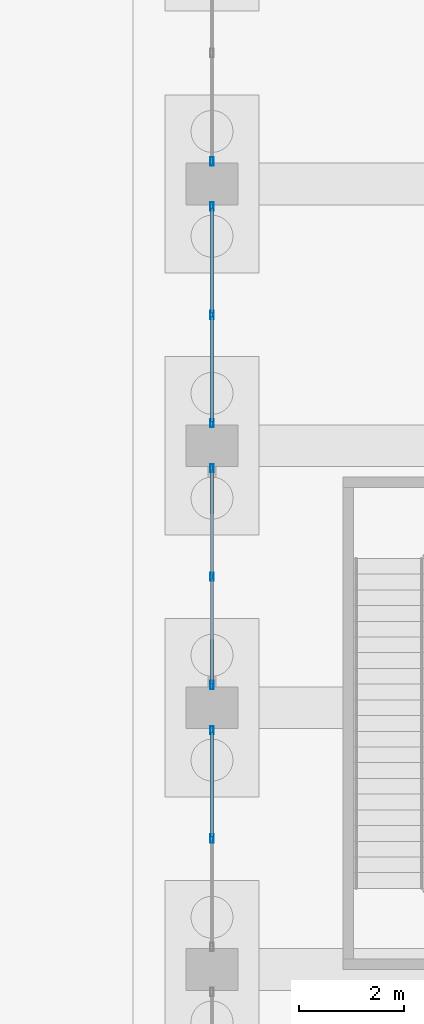
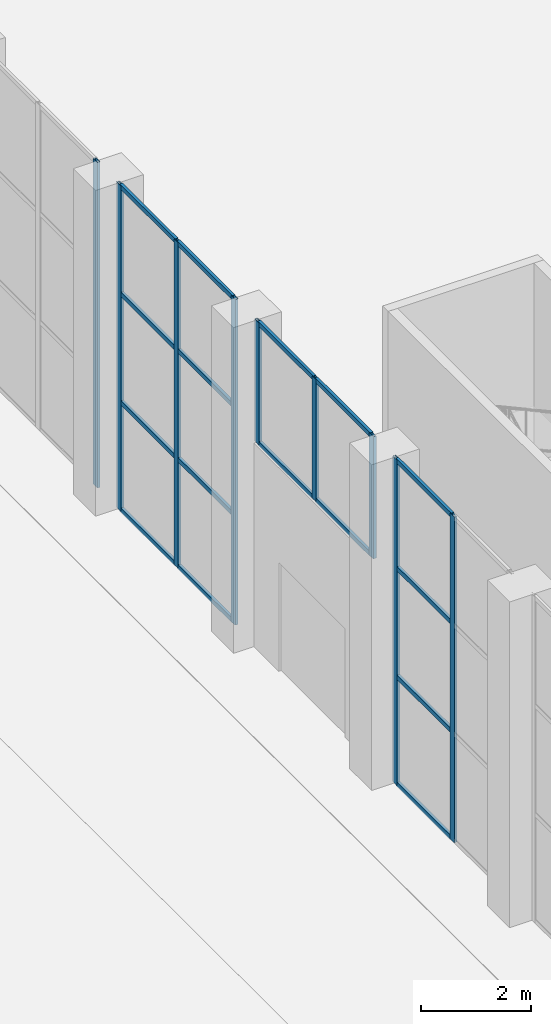
# One storey, part 114 of 239: 25 members, 4 elements without a shape of their own.
"""IFC4 building model written with IfcOpenShell, lengths in metres."""

from ifc_helpers import new_model, si_unit, direction, frame, origin, origin_2d, place, context, subcontext, project, spatial, hollow_rectangle, extrude, material, material_profile, profile_set, type_object, element, aggregate, save


model = new_model("IFC4")

# Units and contexts
model_context = context("Model", 3, precision=1e-05, world=origin(), true_north=direction((0.0, 1.0)))
body_context = subcontext(model_context, "Body", "Model", "MODEL_VIEW")
ifc_project = project(units=[si_unit("LENGTHUNIT", "METRE"), si_unit("AREAUNIT", "SQUARE_METRE"), si_unit("VOLUMEUNIT", "CUBIC_METRE"), si_unit("PLANEANGLEUNIT", "RADIAN"), si_unit("MASSUNIT", "GRAM", prefix="KILO")], contexts=[model_context])

# Site, building, storey
site_placement = place(None, origin())
site = spatial("IfcSite", under=ifc_project, at=site_placement, CompositionType="ELEMENT")
building_placement = place(site_placement, origin())
building = spatial("IfcBuilding", under=site, at=building_placement, Name="Okhra Congress Centre", CompositionType="ELEMENT")
storey_placement = place(building_placement, origin())
storey = spatial("IfcBuildingStorey", under=building, at=storey_placement, Name="L00", CompositionType="ELEMENT", Elevation=0.0)

# Curtain wall, members
ifc_material_1 = material(Name="Aluminium curtain wall, triple glazing", Category="aluminium")
curtain_wall_type = type_object("IfcCurtainWallType", Name="Curtain wall 2100 module", PredefinedType="NOTDEFINED", material=ifc_material_1)
curtain_wall_1_placement = place(storey_placement, origin())
curtain_wall_1 = element("IfcCurtainWall", 1, at=curtain_wall_1_placement, inside=storey, type_object=curtain_wall_type, Name="West bay 5 glazing", PredefinedType="NOTDEFINED")
ifc_material_2 = material(Name="Aluminium alloy EN AW-6063 T66", Category="aluminium")
ifc_material_profile_1 = material_profile(ifc_material_2, hollow_rectangle(XDim=0.06005859375, YDim=0.159912109375, WallThickness=0.00390625, at=origin_2d()), Name="RHS 60x160x4")
ifc_profile_set_1 = profile_set([ifc_material_profile_1], Name="Aluminium alloy EN AW-6063 T66")
member_type_1 = type_object("IfcMemberType", Name="Curtain wall mullion 60x160", PredefinedType="MULLION", material=ifc_profile_set_1)
member_1_placement = place(storey_placement, frame((155.5, 98.5, 0.0), z_axis=(0.0, 0.0, 1.0), x_axis=(-1.0, 0.0, 0.0)))
member_1 = element("IfcMember", 2, at=member_1_placement, type_object=member_type_1, Name="CW4 mullion 2", PredefinedType="MULLION", context=body_context, shape_type="SweptSolid", body=[
    extrude(hollow_rectangle(XDim=0.06005859375, YDim=0.159912109375, WallThickness=0.00390625, at=origin_2d()), origin(), (0.0, 0.0, 1.0), 7.199951171875),
])
member_2_placement = place(storey_placement, frame((155.5, 100.570068359375, 0.0), z_axis=(0.0, 0.0, 1.0), x_axis=(-1.0, 0.0, 0.0)))
member_2 = element("IfcMember", 3, at=member_2_placement, type_object=member_type_1, Name="CW4 mullion 3", PredefinedType="MULLION", context=body_context, shape_type="SweptSolid", body=[
    extrude(hollow_rectangle(XDim=0.06005859375, YDim=0.159912109375, WallThickness=0.00390625, at=origin_2d()), origin(), (0.0, 0.0, 1.0), 7.199951171875),
])

curtain_wall_2_placement = place(storey_placement, origin())
curtain_wall_2 = element("IfcCurtainWall", 4, at=curtain_wall_2_placement, inside=storey, type_object=curtain_wall_type, Name="West bay 6 glazing above the doors", PredefinedType="NOTDEFINED")
member_3_placement = place(storey_placement, frame((155.5, 101.429931640625, 4.5), z_axis=(0.0, 0.0, 1.0), x_axis=(-1.0, 0.0, 0.0)))
member_3 = element("IfcMember", 5, at=member_3_placement, type_object=member_type_1, Name="CW4 mullion 1", PredefinedType="MULLION", context=body_context, shape_type="SweptSolid", body=[
    extrude(hollow_rectangle(XDim=0.06005859375, YDim=0.159912109375, WallThickness=0.00390625, at=origin_2d()), origin(), (0.0, 0.0, 1.0), 2.699951171875),
])
member_4_placement = place(storey_placement, frame((155.5, 103.5, 4.5), z_axis=(0.0, 0.0, 1.0), x_axis=(-1.0, 0.0, 0.0)))
member_4 = element("IfcMember", 6, at=member_4_placement, type_object=member_type_1, Name="CW4 mullion 2", PredefinedType="MULLION", context=body_context, shape_type="SweptSolid", body=[
    extrude(hollow_rectangle(XDim=0.06005859375, YDim=0.159912109375, WallThickness=0.00390625, at=origin_2d()), origin(), (0.0, 0.0, 1.0), 2.699951171875),
])
member_5_placement = place(storey_placement, frame((155.5, 105.570068359375, 4.5), z_axis=(0.0, 0.0, 1.0), x_axis=(-1.0, 0.0, 0.0)))
member_5 = element("IfcMember", 7, at=member_5_placement, type_object=member_type_1, Name="CW4 mullion 3", PredefinedType="MULLION", context=body_context, shape_type="SweptSolid", body=[
    extrude(hollow_rectangle(XDim=0.06005859375, YDim=0.159912109375, WallThickness=0.00390625, at=origin_2d()), origin(), (0.0, 0.0, 1.0), 2.699951171875),
])

curtain_wall_3_placement = place(storey_placement, origin())
curtain_wall_3 = element("IfcCurtainWall", 8, at=curtain_wall_3_placement, inside=storey, type_object=curtain_wall_type, Name="West bay 7 glazing", PredefinedType="NOTDEFINED")
member_6_placement = place(storey_placement, frame((155.5, 106.429931640625, 0.0), z_axis=(0.0, 0.0, 1.0), x_axis=(-1.0, 0.0, 0.0)))
member_6 = element("IfcMember", 9, at=member_6_placement, type_object=member_type_1, Name="CW4 mullion 1", PredefinedType="MULLION", context=body_context, shape_type="SweptSolid", body=[
    extrude(hollow_rectangle(XDim=0.06005859375, YDim=0.159912109375, WallThickness=0.00390625, at=origin_2d()), origin(), (0.0, 0.0, 1.0), 7.199951171875),
])
member_7_placement = place(storey_placement, frame((155.5, 108.5, 0.0), z_axis=(0.0, 0.0, 1.0), x_axis=(-1.0, 0.0, 0.0)))
member_7 = element("IfcMember", 10, at=member_7_placement, type_object=member_type_1, Name="CW4 mullion 2", PredefinedType="MULLION", context=body_context, shape_type="SweptSolid", body=[
    extrude(hollow_rectangle(XDim=0.06005859375, YDim=0.159912109375, WallThickness=0.00390625, at=origin_2d()), origin(), (0.0, 0.0, 1.0), 7.199951171875),
])
member_8_placement = place(storey_placement, frame((155.5, 110.570068359375, 0.0), z_axis=(0.0, 0.0, 1.0), x_axis=(-1.0, 0.0, 0.0)))
member_8 = element("IfcMember", 11, at=member_8_placement, type_object=member_type_1, Name="CW4 mullion 3", PredefinedType="MULLION", context=body_context, shape_type="SweptSolid", body=[
    extrude(hollow_rectangle(XDim=0.06005859375, YDim=0.159912109375, WallThickness=0.00390625, at=origin_2d()), origin(), (0.0, 0.0, 1.0), 7.199951171875),
])

# Curtain wall, member
curtain_wall_4_placement = place(storey_placement, origin())
curtain_wall_4 = element("IfcCurtainWall", 12, at=curtain_wall_4_placement, inside=storey, type_object=curtain_wall_type, Name="West bay 8 glazing", PredefinedType="NOTDEFINED")
member_9_placement = place(storey_placement, frame((155.5, 111.429931640625, 0.0), z_axis=(0.0, 0.0, 1.0), x_axis=(-1.0, 0.0, 0.0)))
member_9 = element("IfcMember", 13, at=member_9_placement, type_object=member_type_1, Name="CW4 mullion 1", PredefinedType="MULLION", context=body_context, shape_type="SweptSolid", body=[
    extrude(hollow_rectangle(XDim=0.06005859375, YDim=0.159912109375, WallThickness=0.00390625, at=origin_2d()), origin(), (0.0, 0.0, 1.0), 7.199951171875),
])
aggregate(curtain_wall_4, [member_9])

# Member
ifc_material_profile_2 = material_profile(ifc_material_2, hollow_rectangle(XDim=0.06005859375, YDim=0.10009765625, WallThickness=0.00390625, at=origin_2d()), Name="RHS 60x100x4")
ifc_profile_set_2 = profile_set([ifc_material_profile_2], Name="Aluminium alloy EN AW-6063 T66")
member_type_2 = type_object("IfcMemberType", Name="Curtain wall transom 60x100", PredefinedType="USERDEFINED", material=ifc_profile_set_2)
member_10_placement = place(storey_placement, frame((155.5, 98.530029296875, 0.030029296875), z_axis=(0.0, 1.0, 0.0), x_axis=(-1.0, 0.0, 0.0)))
member_10 = element("IfcMember", 14, at=member_10_placement, type_object=member_type_2, Name="CW4 transom 2.1", ObjectType="TRANSOM", PredefinedType="USERDEFINED", context=body_context, shape_type="SweptSolid", body=[
    extrude(hollow_rectangle(XDim=0.06005859375, YDim=0.10009765625, WallThickness=0.00390625, at=origin_2d()), origin(), (0.0, 0.0, 1.0), 2.010009765625),
])

member_11_placement = place(storey_placement, frame((155.5, 98.530029296875, 2.39990234375), z_axis=(0.0, 1.0, 0.0), x_axis=(-1.0, 0.0, 0.0)))
member_11 = element("IfcMember", 15, at=member_11_placement, type_object=member_type_2, Name="CW4 transom 2.2", ObjectType="TRANSOM", PredefinedType="USERDEFINED", context=body_context, shape_type="SweptSolid", body=[
    extrude(hollow_rectangle(XDim=0.06005859375, YDim=0.10009765625, WallThickness=0.00390625, at=origin_2d()), origin(), (0.0, 0.0, 1.0), 2.010009765625),
])

member_12_placement = place(storey_placement, frame((155.5, 98.530029296875, 4.800048828125), z_axis=(0.0, 1.0, 0.0), x_axis=(-1.0, 0.0, 0.0)))
member_12 = element("IfcMember", 16, at=member_12_placement, type_object=member_type_2, Name="CW4 transom 2.3", ObjectType="TRANSOM", PredefinedType="USERDEFINED", context=body_context, shape_type="SweptSolid", body=[
    extrude(hollow_rectangle(XDim=0.06005859375, YDim=0.10009765625, WallThickness=0.00390625, at=origin_2d()), origin(), (0.0, 0.0, 1.0), 2.010009765625),
])

member_13_placement = place(storey_placement, frame((155.5, 98.530029296875, 7.169921875), z_axis=(0.0, 1.0, 0.0), x_axis=(-1.0, 0.0, 0.0)))
member_13 = element("IfcMember", 17, at=member_13_placement, type_object=member_type_2, Name="CW4 transom 2.4", ObjectType="TRANSOM", PredefinedType="USERDEFINED", context=body_context, shape_type="SweptSolid", body=[
    extrude(hollow_rectangle(XDim=0.06005859375, YDim=0.10009765625, WallThickness=0.00390625, at=origin_2d()), origin(), (0.0, 0.0, 1.0), 2.010009765625),
])

aggregate(curtain_wall_1, [member_1, member_2, member_10, member_11, member_12, member_13])

member_14_placement = place(storey_placement, frame((155.5, 101.4599609375, 4.530029296875), z_axis=(0.0, 1.0, 0.0), x_axis=(-1.0, 0.0, 0.0)))
member_14 = element("IfcMember", 18, at=member_14_placement, type_object=member_type_2, Name="CW4 transom 1.1", ObjectType="TRANSOM", PredefinedType="USERDEFINED", context=body_context, shape_type="SweptSolid", body=[
    extrude(hollow_rectangle(XDim=0.06005859375, YDim=0.10009765625, WallThickness=0.00390625, at=origin_2d()), origin(), (0.0, 0.0, 1.0), 2.010009765625),
])

member_15_placement = place(storey_placement, frame((155.5, 101.4599609375, 7.169921875), z_axis=(0.0, 1.0, 0.0), x_axis=(-1.0, 0.0, 0.0)))
member_15 = element("IfcMember", 19, at=member_15_placement, type_object=member_type_2, Name="CW4 transom 1.2", ObjectType="TRANSOM", PredefinedType="USERDEFINED", context=body_context, shape_type="SweptSolid", body=[
    extrude(hollow_rectangle(XDim=0.06005859375, YDim=0.10009765625, WallThickness=0.00390625, at=origin_2d()), origin(), (0.0, 0.0, 1.0), 2.010009765625),
])

member_16_placement = place(storey_placement, frame((155.5, 103.530029296875, 4.530029296875), z_axis=(0.0, 1.0, 0.0), x_axis=(-1.0, 0.0, 0.0)))
member_16 = element("IfcMember", 20, at=member_16_placement, type_object=member_type_2, Name="CW4 transom 2.1", ObjectType="TRANSOM", PredefinedType="USERDEFINED", context=body_context, shape_type="SweptSolid", body=[
    extrude(hollow_rectangle(XDim=0.06005859375, YDim=0.10009765625, WallThickness=0.00390625, at=origin_2d()), origin(), (0.0, 0.0, 1.0), 2.010009765625),
])

member_17_placement = place(storey_placement, frame((155.5, 103.530029296875, 7.169921875), z_axis=(0.0, 1.0, 0.0), x_axis=(-1.0, 0.0, 0.0)))
member_17 = element("IfcMember", 21, at=member_17_placement, type_object=member_type_2, Name="CW4 transom 2.2", ObjectType="TRANSOM", PredefinedType="USERDEFINED", context=body_context, shape_type="SweptSolid", body=[
    extrude(hollow_rectangle(XDim=0.06005859375, YDim=0.10009765625, WallThickness=0.00390625, at=origin_2d()), origin(), (0.0, 0.0, 1.0), 2.010009765625),
])

aggregate(curtain_wall_2, [member_3, member_4, member_5, member_14, member_15, member_16, member_17])

member_18_placement = place(storey_placement, frame((155.5, 106.4599609375, 0.030029296875), z_axis=(0.0, 1.0, 0.0), x_axis=(-1.0, 0.0, 0.0)))
member_18 = element("IfcMember", 22, at=member_18_placement, type_object=member_type_2, Name="CW4 transom 1.1", ObjectType="TRANSOM", PredefinedType="USERDEFINED", context=body_context, shape_type="SweptSolid", body=[
    extrude(hollow_rectangle(XDim=0.06005859375, YDim=0.10009765625, WallThickness=0.00390625, at=origin_2d()), origin(), (0.0, 0.0, 1.0), 2.010009765625),
])

member_19_placement = place(storey_placement, frame((155.5, 106.4599609375, 2.39990234375), z_axis=(0.0, 1.0, 0.0), x_axis=(-1.0, 0.0, 0.0)))
member_19 = element("IfcMember", 23, at=member_19_placement, type_object=member_type_2, Name="CW4 transom 1.2", ObjectType="TRANSOM", PredefinedType="USERDEFINED", context=body_context, shape_type="SweptSolid", body=[
    extrude(hollow_rectangle(XDim=0.06005859375, YDim=0.10009765625, WallThickness=0.00390625, at=origin_2d()), origin(), (0.0, 0.0, 1.0), 2.010009765625),
])

member_20_placement = place(storey_placement, frame((155.5, 106.4599609375, 4.800048828125), z_axis=(0.0, 1.0, 0.0), x_axis=(-1.0, 0.0, 0.0)))
member_20 = element("IfcMember", 24, at=member_20_placement, type_object=member_type_2, Name="CW4 transom 1.3", ObjectType="TRANSOM", PredefinedType="USERDEFINED", context=body_context, shape_type="SweptSolid", body=[
    extrude(hollow_rectangle(XDim=0.06005859375, YDim=0.10009765625, WallThickness=0.00390625, at=origin_2d()), origin(), (0.0, 0.0, 1.0), 2.010009765625),
])

member_21_placement = place(storey_placement, frame((155.5, 106.4599609375, 7.169921875), z_axis=(0.0, 1.0, 0.0), x_axis=(-1.0, 0.0, 0.0)))
member_21 = element("IfcMember", 25, at=member_21_placement, type_object=member_type_2, Name="CW4 transom 1.4", ObjectType="TRANSOM", PredefinedType="USERDEFINED", context=body_context, shape_type="SweptSolid", body=[
    extrude(hollow_rectangle(XDim=0.06005859375, YDim=0.10009765625, WallThickness=0.00390625, at=origin_2d()), origin(), (0.0, 0.0, 1.0), 2.010009765625),
])

member_22_placement = place(storey_placement, frame((155.5, 108.530029296875, 0.030029296875), z_axis=(0.0, 1.0, 0.0), x_axis=(-1.0, 0.0, 0.0)))
member_22 = element("IfcMember", 26, at=member_22_placement, type_object=member_type_2, Name="CW4 transom 2.1", ObjectType="TRANSOM", PredefinedType="USERDEFINED", context=body_context, shape_type="SweptSolid", body=[
    extrude(hollow_rectangle(XDim=0.06005859375, YDim=0.10009765625, WallThickness=0.00390625, at=origin_2d()), origin(), (0.0, 0.0, 1.0), 2.010009765625),
])

member_23_placement = place(storey_placement, frame((155.5, 108.530029296875, 2.39990234375), z_axis=(0.0, 1.0, 0.0), x_axis=(-1.0, 0.0, 0.0)))
member_23 = element("IfcMember", 27, at=member_23_placement, type_object=member_type_2, Name="CW4 transom 2.2", ObjectType="TRANSOM", PredefinedType="USERDEFINED", context=body_context, shape_type="SweptSolid", body=[
    extrude(hollow_rectangle(XDim=0.06005859375, YDim=0.10009765625, WallThickness=0.00390625, at=origin_2d()), origin(), (0.0, 0.0, 1.0), 2.010009765625),
])

member_24_placement = place(storey_placement, frame((155.5, 108.530029296875, 4.800048828125), z_axis=(0.0, 1.0, 0.0), x_axis=(-1.0, 0.0, 0.0)))
member_24 = element("IfcMember", 28, at=member_24_placement, type_object=member_type_2, Name="CW4 transom 2.3", ObjectType="TRANSOM", PredefinedType="USERDEFINED", context=body_context, shape_type="SweptSolid", body=[
    extrude(hollow_rectangle(XDim=0.06005859375, YDim=0.10009765625, WallThickness=0.00390625, at=origin_2d()), origin(), (0.0, 0.0, 1.0), 2.010009765625),
])

member_25_placement = place(storey_placement, frame((155.5, 108.530029296875, 7.169921875), z_axis=(0.0, 1.0, 0.0), x_axis=(-1.0, 0.0, 0.0)))
member_25 = element("IfcMember", 29, at=member_25_placement, type_object=member_type_2, Name="CW4 transom 2.4", ObjectType="TRANSOM", PredefinedType="USERDEFINED", context=body_context, shape_type="SweptSolid", body=[
    extrude(hollow_rectangle(XDim=0.06005859375, YDim=0.10009765625, WallThickness=0.00390625, at=origin_2d()), origin(), (0.0, 0.0, 1.0), 2.010009765625),
])

aggregate(curtain_wall_3, [member_6, member_7, member_8, member_18, member_19, member_20, member_21, member_22, member_23, member_24, member_25])

save(model, "model.ifc")
